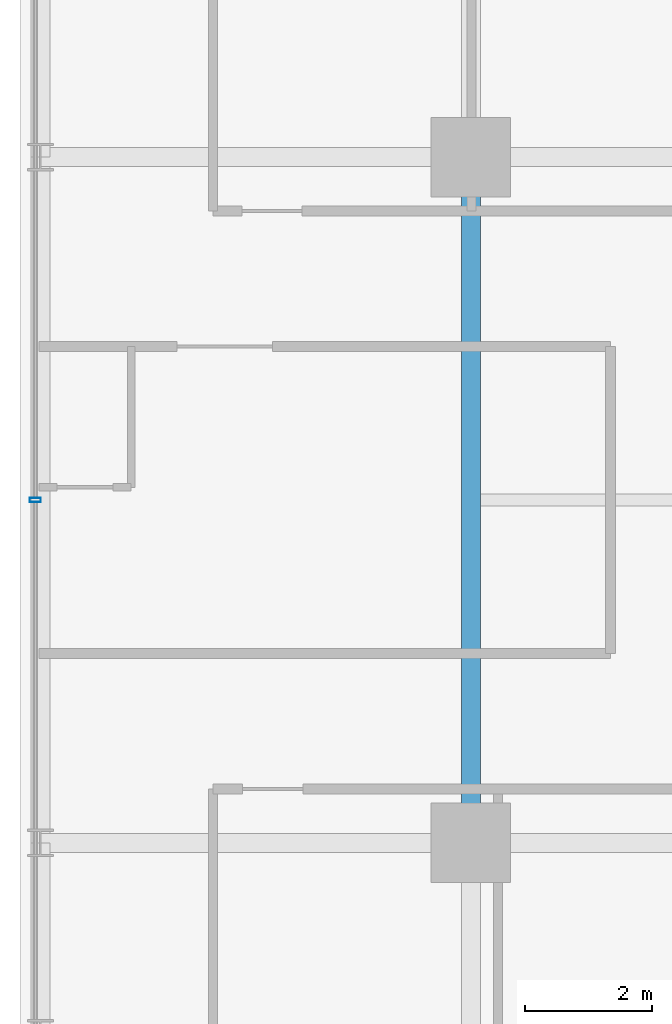
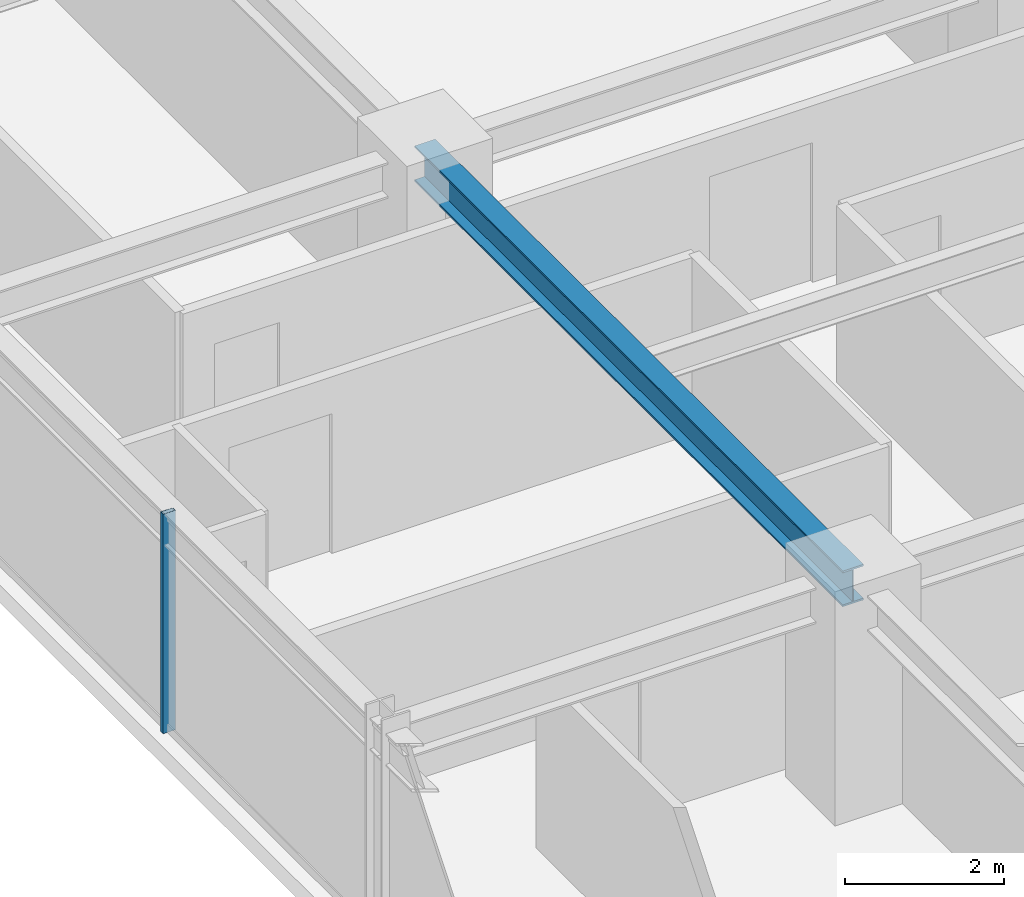
# One storey, part 8 of 34: 1 beam, 1 member, 1 element without a shape of its own.
"""IFC4 building model written with IfcOpenShell, lengths in metres."""

from ifc_helpers import new_model, si_unit, direction, frame, origin, origin_2d, place, context, subcontext, project, spatial, hollow_rectangle, i_section, extrude, source, transform, mapped, material, material_profile, profile_set, type_object, element, aggregate, save


model = new_model("IFC4")

# Units and contexts
model_context = context("Model", 3, precision=1e-05, world=origin(), true_north=direction((0.0, 1.0)))
body_context = subcontext(model_context, "Body", "Model", "MODEL_VIEW")
ifc_project = project(units=[si_unit("LENGTHUNIT", "METRE"), si_unit("AREAUNIT", "SQUARE_METRE"), si_unit("VOLUMEUNIT", "CUBIC_METRE"), si_unit("PLANEANGLEUNIT", "RADIAN"), si_unit("MASSUNIT", "GRAM", prefix="KILO")], contexts=[model_context])

# Site, building, storey
site_placement = place(None, origin())
site = spatial("IfcSite", under=ifc_project, at=site_placement, CompositionType="ELEMENT")
building_placement = place(site_placement, origin())
building = spatial("IfcBuilding", under=site, at=building_placement, Name="Nahalor Promenade Grand Hotel", CompositionType="ELEMENT")
storey_placement = place(building_placement, frame((0.0, 0.0, 128.449951171875)))
storey = spatial("IfcBuildingStorey", under=building, at=storey_placement, Name="L32", CompositionType="ELEMENT", Elevation=128.449951171875)

# Beam
ifc_material_1 = material(Name="Steel S355JR", Category="steel")
ifc_material_profile_1 = material_profile(ifc_material_1, i_section(OverallWidth=0.3, OverallDepth=0.55, WebThickness=0.015, FlangeThickness=0.029, at=origin_2d()), Name="HEB 550")
ifc_profile_set_1 = profile_set([ifc_material_profile_1], Name="Steel S355JR")
beam_type = type_object("IfcBeamType", Name="Beam-Girder-HEB550", PredefinedType="BEAM", material=ifc_profile_set_1)
shared_shape_1 = source(origin(), body_context, "Body", "SweptSolid", [
    extrude(i_section(OverallWidth=0.3, OverallDepth=0.55, WebThickness=0.015, FlangeThickness=0.029, at=origin_2d()), origin(), (0.0, 0.0, 1.0), 10.7998046875),
])
beam_placement = place(storey_placement, frame((-17.0, -5.39990234375, 3.10498046875), z_axis=(0.0, 1.0, 0.0), x_axis=(-1.0, 0.0, 0.0)))
element("IfcBeam", 1, at=beam_placement, inside=storey, type_object=beam_type, Name="BM-L32-GY-0-2", PredefinedType="BEAM", context=body_context, shape_type="MappedRepresentation", body=[
    mapped(shared_shape_1, transform((0.0, 0.0, 0.0), scale=1.0)),
])

# Curtain wall, member
ifc_material_2 = material(Name="Anodised Bronze Aluminium EN AW-6063 T6", Category="aluminium")
curtain_wall_type = type_object("IfcCurtainWallType", Name="CW2 Typical Hotel Flush Bronze Unitised Curtain Wall", PredefinedType="USERDEFINED", material=ifc_material_2)
curtain_wall_placement = place(storey_placement, origin())
curtain_wall = element("IfcCurtainWall", 2, at=curtain_wall_placement, inside=storey, type_object=curtain_wall_type, Name="L32 Curtain Wall CW-L32-W-1", ObjectType="UNITISED_CURTAIN_WALL", PredefinedType="USERDEFINED")
ifc_material_profile_2 = material_profile(ifc_material_2, hollow_rectangle(XDim=0.065, YDim=0.18, WallThickness=0.004, at=origin_2d()), Name="CWM 65x180x4")
ifc_profile_set_2 = profile_set([ifc_material_profile_2], Name="Anodised Bronze Aluminium EN AW-6063 T6")
member_type = type_object("IfcMemberType", Name="CWM2 Typical Bronze Mullion 65x180", PredefinedType="MULLION", material=ifc_profile_set_2)
shared_shape_2 = source(origin(), body_context, "Body", "SweptSolid", [
    extrude(hollow_rectangle(XDim=0.065, YDim=0.18, WallThickness=0.004, at=origin_2d()), origin(), (0.0, 0.0, 1.0), 3.380126953125),
])
member_placement = place(storey_placement, frame((-23.860107421875, 0.0, 0.0), z_axis=(0.0, 0.0, 1.0), x_axis=(0.0, 1.0, 0.0)))
member = element("IfcMember", 3, at=member_placement, type_object=member_type, Name="CW-L32-W-1 Mullion 2", PredefinedType="MULLION", context=body_context, shape_type="MappedRepresentation", body=[
    mapped(shared_shape_2, transform((0.0, 0.0, 0.0), scale=1.0)),
])
aggregate(curtain_wall, [member])

save(model, "model.ifc")
